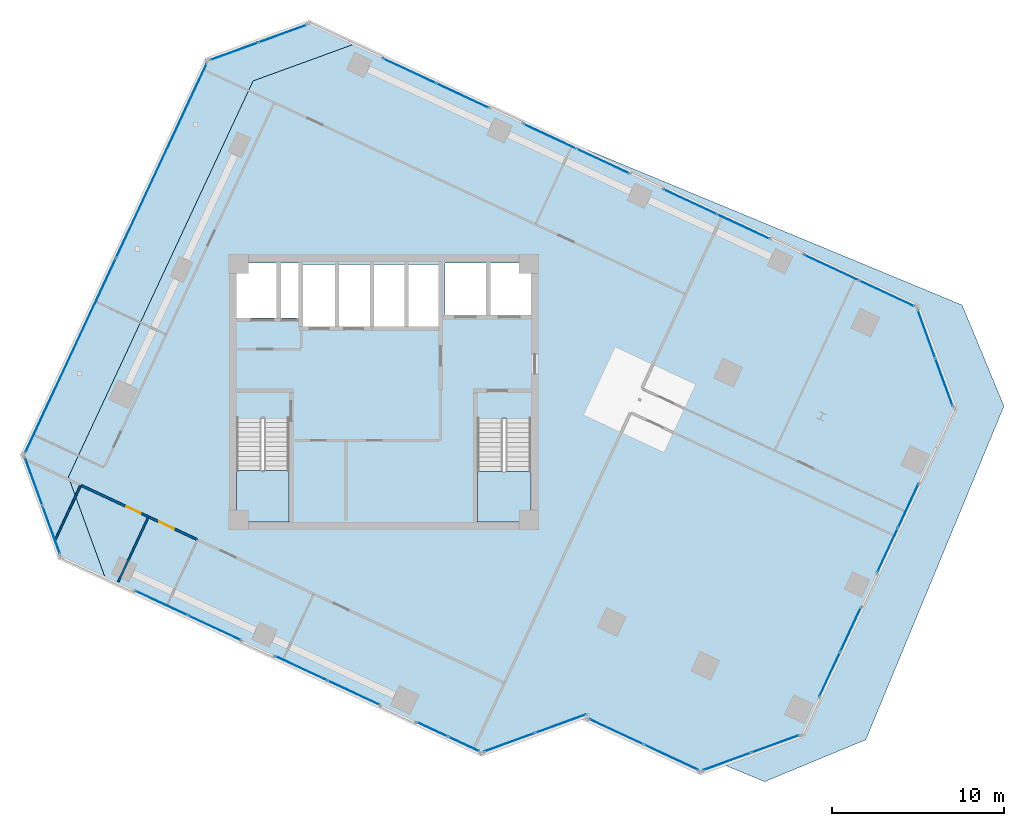
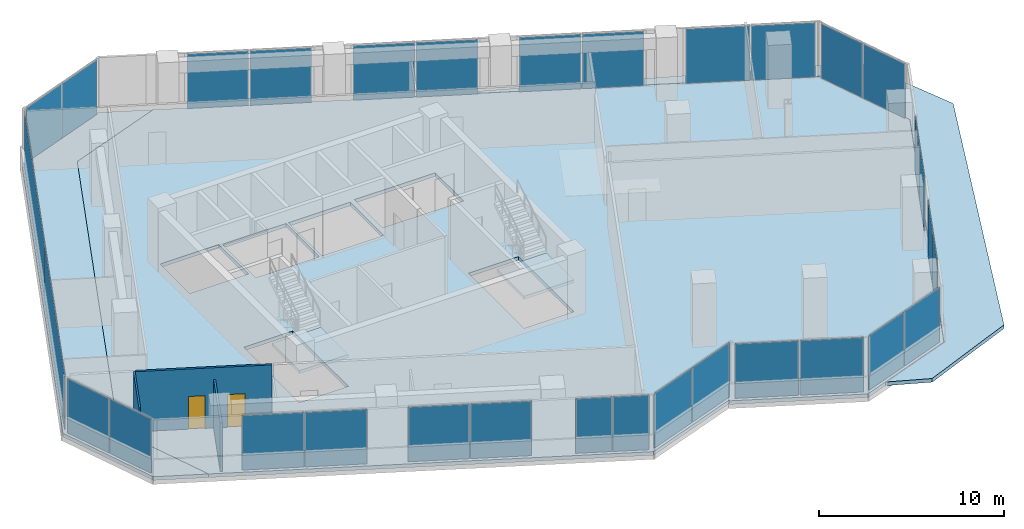
# One storey, part 16 of 23: 32 plates, 5 slabs, 3 walls, 2 doors, 2 openings, 18 elements without a shape of their own.
"""IFC4 building model written with IfcOpenShell, lengths in metres."""

from ifc_helpers import new_model, si_unit, direction, frame, frame_2d, origin, origin_2d, place, context, subcontext, project, spatial, polyline, rectangle, outline, extrude, source, transform, mapped, material, layer, layer_set, type_object, element, fill, aggregate, save


model = new_model("IFC4")

# Units and contexts
model_context = context("Model", 3, precision=1e-05, world=origin(), true_north=direction((0.0, 1.0)))
body_context = subcontext(model_context, "Body", "Model", "MODEL_VIEW")
ifc_project = project(units=[si_unit("LENGTHUNIT", "METRE"), si_unit("AREAUNIT", "SQUARE_METRE"), si_unit("VOLUMEUNIT", "CUBIC_METRE"), si_unit("PLANEANGLEUNIT", "RADIAN"), si_unit("MASSUNIT", "GRAM", prefix="KILO")], contexts=[model_context])

# Site, building, storey
site_placement = place(None, origin())
site = spatial("IfcSite", under=ifc_project, at=site_placement, CompositionType="ELEMENT")
building_placement = place(site_placement, origin())
building = spatial("IfcBuilding", under=site, at=building_placement, Name="Torre Montelarca", CompositionType="ELEMENT")
storey_placement = place(building_placement, frame((0.0, 0.0, 154.0)))
storey = spatial("IfcBuildingStorey", under=building, at=storey_placement, Name="L34", CompositionType="ELEMENT", Elevation=154.0)

# Slabs
ifc_material_1 = material(Name="Concrete C40/50", Category="concrete")
ifc_layer_1 = layer(ifc_material_1, 0.239990234375, Name="Concrete C40/50", Category="concrete")
ifc_layer_set_1 = layer_set([ifc_layer_1], Name="Concrete C40/50")
slab_type_1 = type_object("IfcSlabType", Name="SL-FLR-240", PredefinedType="FLOOR", material=ifc_layer_set_1)
slab_1_placement = place(storey_placement, frame((0.0, 0.0, -0.239990234375)))
element("IfcSlab", 1, at=slab_1_placement, inside=storey, type_object=slab_type_1, Name="L34 Structural Floor Slab", PredefinedType="FLOOR", context=body_context, shape_type="SweptSolid", body=[
    extrude(outline(polyline([(23.68701171875, 10.898681640625), (29.667236328125, 13.0751953125), (29.625, 12.984619140625), (36.42236328125, 9.81494140625), (42.402587890625, 11.99169921875), (51.277587890625, 31.024169921875), (49.100830078125, 37.004150390625), (16.38330078125, 52.2607421875), (10.403076171875, 50.083984375), (-0.33154296875, 27.06396484375), (1.84521484375, 21.083740234375), (23.68701171875, 10.898681640625)]), holes=[polyline([(26.550048828125, 24.449951171875), (23.43994140625, 24.449951171875), (23.43994140625, 30.429931640625), (26.550048828125, 30.429931640625), (26.550048828125, 24.449951171875)]), polyline([(9.449951171875, 24.449951171875), (9.449951171875, 30.4599609375), (12.5, 30.4599609375), (12.5, 24.449951171875), (9.449951171875, 24.449951171875)]), polyline([(17.25, 35.800048828125), (13.300048828125, 35.800048828125), (13.300048828125, 39.39990234375), (17.25, 39.39990234375), (17.25, 35.800048828125)]), polyline([(21.25, 39.39990234375), (21.25, 35.800048828125), (17.39990234375, 35.800048828125), (17.39990234375, 39.39990234375), (21.25, 39.39990234375)]), polyline([(13.1201171875, 36.300048828125), (9.449951171875, 36.300048828125), (9.449951171875, 39.5), (13.1201171875, 39.5), (13.1201171875, 36.300048828125)]), polyline([(26.60009765625, 36.449951171875), (21.550048828125, 36.449951171875), (21.550048828125, 39.5), (26.60009765625, 39.5), (26.60009765625, 36.449951171875)])]), origin(), (0.0, 0.0, 1.0), 0.239990234375),
])
slab_2_placement = place(storey_placement, frame((0.0, 0.0, -0.239990234375)))
element("IfcSlab", 2, at=slab_2_placement, inside=storey, type_object=slab_type_1, Name="L34 Sliding Tray Winter Garden Floor Slab W1", PredefinedType="FLOOR", context=body_context, shape_type="SweptSolid", body=[
    extrude(outline(polyline([(1.84521484375, 21.083740234375), (-0.33154296875, 27.06396484375), (10.403076171875, 50.083984375), (16.38330078125, 52.2607421875), (13.664306640625, 53.528564453125), (7.68408203125, 51.35205078125), (-3.05029296875, 28.331787109375), (-0.873779296875, 22.3515625), (1.84521484375, 21.083740234375)])), origin(), (0.0, 0.0, 1.0), 0.239990234375),
])
ifc_material_2 = material(Name="Architectural concrete C40/50", Category="concrete")
ifc_layer_2 = layer(ifc_material_2, 0.239990234375, Name="Architectural concrete C40/50", Category="concrete")
ifc_layer_set_2 = layer_set([ifc_layer_2], Name="Architectural concrete C40/50")
slab_type_2 = type_object("IfcSlabType", Name="SL-ROOF-EXT-240", PredefinedType="ROOF", material=ifc_layer_set_2)
slab_3_placement = place(storey_placement, frame((0.0, 0.0, -0.239990234375)))
element("IfcSlab", 3, at=slab_3_placement, inside=storey, type_object=slab_type_2, Name="L33 Setback and Tray Overhang Roof Cap Slab 01", PredefinedType="ROOF", context=body_context, shape_type="SweptSolid", body=[
    extrude(outline(polyline([(49.107421875, 37.010009765625), (51.2861328125, 31.023681640625), (42.408447265625, 11.985107421875), (37.804443359375, 10.3095703125), (40.1474609375, 9.339111328125), (46.027099609375, 11.7744140625), (54.063232421875, 31.17578125), (51.6279296875, 37.055419921875), (28.19482421875, 46.76171875), (49.107421875, 37.010009765625)])), origin(), (0.0, 0.0, 1.0), 0.239990234375),
])

# Stair, slab
stair_type_1 = type_object("IfcStairType", Name="ST-CORE-ST1", PredefinedType="HALF_TURN_STAIR", material=ifc_material_1)
stair_1_placement = place(storey_placement, origin())
stair_1 = element("IfcStair", 4, at=stair_1_placement, inside=storey, type_object=stair_type_1, Name="L34 Protected Exit Stair ST1", PredefinedType="HALF_TURN_STAIR")
ifc_layer_3 = layer(ifc_material_1, 0.199951171875, Name="Concrete C40/50", Category="concrete")
ifc_layer_set_3 = layer_set([ifc_layer_3], Name="Concrete C40/50")
slab_type_3 = type_object("IfcSlabType", Name="SL-ST-LAND-ST1", PredefinedType="LANDING", material=ifc_layer_set_3)
slab_4_placement = place(storey_placement, frame((0.0, 0.0, 1.89990234375)))
slab_4 = element("IfcSlab", 5, at=slab_4_placement, type_object=slab_type_3, Name="ST1 landing 1", PredefinedType="LANDING", context=body_context, shape_type="SweptSolid", body=[
    extrude(outline(polyline([(9.449951171875, 27.419921875), (9.449951171875, 24.449951171875), (12.5, 24.449951171875), (12.5, 27.419921875), (9.449951171875, 27.419921875)])), origin(), (0.0, 0.0, 1.0), 0.2001953125),
])
aggregate(stair_1, [slab_4])

stair_type_2 = type_object("IfcStairType", Name="ST-CORE-ST2", PredefinedType="HALF_TURN_STAIR", material=ifc_material_1)
stair_2_placement = place(storey_placement, origin())
stair_2 = element("IfcStair", 6, at=stair_2_placement, inside=storey, type_object=stair_type_2, Name="L34 Protected Exit Stair ST2", PredefinedType="HALF_TURN_STAIR")
ifc_layer_4 = layer(ifc_material_1, 0.199951171875, Name="Concrete C40/50", Category="concrete")
ifc_layer_set_4 = layer_set([ifc_layer_4], Name="Concrete C40/50")
slab_type_4 = type_object("IfcSlabType", Name="SL-ST-LAND-ST2", PredefinedType="LANDING", material=ifc_layer_set_4)
slab_5_placement = place(storey_placement, frame((0.0, 0.0, 1.89990234375)))
slab_5 = element("IfcSlab", 7, at=slab_5_placement, type_object=slab_type_4, Name="ST2 landing 1", PredefinedType="LANDING", context=body_context, shape_type="SweptSolid", body=[
    extrude(outline(polyline([(23.43994140625, 27.389892578125), (23.43994140625, 24.449951171875), (26.550048828125, 24.449951171875), (26.550048828125, 27.389892578125), (23.43994140625, 27.389892578125)])), origin(), (0.0, 0.0, 1.0), 0.2001953125),
])
aggregate(stair_2, [slab_5])

# Curtain wall, plates
ifc_material_3 = material(Name="Insulated low-E laminated glass", Category="glass")
curtain_wall_type = type_object("IfcCurtainWallType", Name="CW-SYS-Z2", PredefinedType="USERDEFINED", material=ifc_material_3)
curtain_wall_1_placement = place(storey_placement, origin())
curtain_wall_1 = element("IfcCurtainWall", 8, at=curtain_wall_1_placement, inside=storey, type_object=curtain_wall_type, Name="L34 Curtain Wall Run CW-T3-L34-E01-B3", ObjectType="UNITISED GLAZING", PredefinedType="USERDEFINED")
ifc_layer_5 = layer(ifc_material_3, 0.031982421875, Name="Insulated low-E laminated glass", Category="glass")
ifc_layer_set_5 = layer_set([ifc_layer_5], Name="Insulated low-E laminated glass")
plate_type = type_object("IfcPlateType", Name="CWP-GLZ-32", PredefinedType="CURTAIN_PANEL", material=ifc_layer_set_5)
shared_shape_1 = source(origin(), body_context, "Body", "SweptSolid", [
    extrude(rectangle(XDim=1.95458984375, YDim=0.031982421875, at=origin_2d()), origin(), (0.0, 0.0, 1.0), 3.590087890625),
])
plate_1_placement = place(storey_placement, frame((20.81689453125, 12.380615234375, 0.06494140625), z_axis=(0.0, 0.0, 1.0), x_axis=(0.906310711432, -0.422611990299, 0.0)))
plate_1 = element("IfcPlate", 9, at=plate_1_placement, type_object=plate_type, Name="CW panel 1.1", PredefinedType="CURTAIN_PANEL", context=body_context, shape_type="MappedRepresentation", body=[
    mapped(shared_shape_1, transform((0.0, 0.0, 0.0), scale=1.0)),
])
plate_2_placement = place(storey_placement, frame((22.647216796875, 11.527099609375, 0.06494140625), z_axis=(0.0, 0.0, 1.0), x_axis=(0.906310711432, -0.422611990299, 0.0)))
plate_2 = element("IfcPlate", 10, at=plate_2_placement, type_object=plate_type, Name="CW panel 2.1", PredefinedType="CURTAIN_PANEL", context=body_context, shape_type="MappedRepresentation", body=[
    mapped(shared_shape_1, transform((0.0, 0.0, 0.0), scale=1.0)),
])
aggregate(curtain_wall_1, [plate_1, plate_2])

curtain_wall_2_placement = place(storey_placement, origin())
curtain_wall_2 = element("IfcCurtainWall", 11, at=curtain_wall_2_placement, inside=storey, type_object=curtain_wall_type, Name="L34 Curtain Wall Run CW-T3-L34-E04-B1", ObjectType="UNITISED GLAZING", PredefinedType="USERDEFINED")
shared_shape_2 = source(origin(), body_context, "Body", "SweptSolid", [
    extrude(rectangle(XDim=3.448486328125, YDim=0.031982421875, at=origin_2d()), origin(), (0.0, 0.0, 1.0), 3.590087890625),
])
plate_3_placement = place(storey_placement, frame((31.52099609375, 12.243896484375, 0.06494140625), z_axis=(0.0, 0.0, 1.0), x_axis=(0.906315299534, -0.422602150764, 0.0)))
plate_3 = element("IfcPlate", 12, at=plate_3_placement, type_object=plate_type, Name="CW panel 1.1", PredefinedType="CURTAIN_PANEL", context=body_context, shape_type="MappedRepresentation", body=[
    mapped(shared_shape_2, transform((0.0, 0.0, 0.0), scale=1.0)),
])
plate_4_placement = place(storey_placement, frame((34.705322265625, 10.759033203125, 0.06494140625), z_axis=(0.0, 0.0, 1.0), x_axis=(0.906315299534, -0.422602150764, 0.0)))
plate_4 = element("IfcPlate", 13, at=plate_4_placement, type_object=plate_type, Name="CW panel 2.1", PredefinedType="CURTAIN_PANEL", context=body_context, shape_type="MappedRepresentation", body=[
    mapped(shared_shape_2, transform((0.0, 0.0, 0.0), scale=1.0)),
])
aggregate(curtain_wall_2, [plate_3, plate_4])

curtain_wall_3_placement = place(storey_placement, origin())
curtain_wall_3 = element("IfcCurtainWall", 14, at=curtain_wall_3_placement, inside=storey, type_object=curtain_wall_type, Name="L34 Curtain Wall Run CW-T3-L34-E05-B1", ObjectType="UNITISED GLAZING", PredefinedType="USERDEFINED")
shared_shape_3 = source(origin(), body_context, "Body", "SweptSolid", [
    extrude(rectangle(XDim=2.918701171875, YDim=0.031982421875, at=origin_2d()), origin(), (0.0, 0.0, 1.0), 3.590087890625),
])
plate_5_placement = place(storey_placement, frame((37.966064453125, 10.51513671875, 0.06494140625), z_axis=(0.0, 0.0, 1.0), x_axis=(0.939694159282, 0.342015916313, 0.0)))
plate_5 = element("IfcPlate", 15, at=plate_5_placement, type_object=plate_type, Name="CW panel 1.1", PredefinedType="CURTAIN_PANEL", context=body_context, shape_type="MappedRepresentation", body=[
    mapped(shared_shape_3, transform((0.0, 0.0, 0.0), scale=1.0)),
])
plate_6_placement = place(storey_placement, frame((40.769775390625, 11.53564453125, 0.06494140625), z_axis=(0.0, 0.0, 1.0), x_axis=(0.939694159282, 0.342015916313, 0.0)))
plate_6 = element("IfcPlate", 16, at=plate_6_placement, type_object=plate_type, Name="CW panel 2.1", PredefinedType="CURTAIN_PANEL", context=body_context, shape_type="MappedRepresentation", body=[
    mapped(shared_shape_3, transform((0.0, 0.0, 0.0), scale=1.0)),
])
aggregate(curtain_wall_3, [plate_5, plate_6])

curtain_wall_4_placement = place(storey_placement, origin())
curtain_wall_4 = element("IfcCurtainWall", 17, at=curtain_wall_4_placement, inside=storey, type_object=curtain_wall_type, Name="L34 Curtain Wall Run CW-T3-L34-E11-B1", ObjectType="UNITISED GLAZING", PredefinedType="USERDEFINED")
plate_7_placement = place(storey_placement, frame((-2.35009765625, 26.7880859375, 0.06494140625), z_axis=(0.0, 0.0, 1.0), x_axis=(0.342015916313, -0.939694159282, 0.0)))
plate_7 = element("IfcPlate", 18, at=plate_7_placement, type_object=plate_type, Name="CW panel 1.1", PredefinedType="CURTAIN_PANEL", context=body_context, shape_type="MappedRepresentation", body=[
    mapped(shared_shape_3, transform((0.0, 0.0, 0.0), scale=1.0)),
])
plate_8_placement = place(storey_placement, frame((-1.329833984375, 23.984375, 0.06494140625), z_axis=(0.0, 0.0, 1.0), x_axis=(0.342015916313, -0.939694159282, 0.0)))
plate_8 = element("IfcPlate", 19, at=plate_8_placement, type_object=plate_type, Name="CW panel 2.1", PredefinedType="CURTAIN_PANEL", context=body_context, shape_type="MappedRepresentation", body=[
    mapped(shared_shape_3, transform((0.0, 0.0, 0.0), scale=1.0)),
])
aggregate(curtain_wall_4, [plate_7, plate_8])

curtain_wall_5_placement = place(storey_placement, origin())
curtain_wall_5 = element("IfcCurtainWall", 20, at=curtain_wall_5_placement, inside=storey, type_object=curtain_wall_type, Name="L34 Curtain Wall Run CW-T3-L34-E08-B1", ObjectType="UNITISED GLAZING", PredefinedType="USERDEFINED")
shared_shape_4 = source(origin(), body_context, "Body", "SweptSolid", [
    extrude(rectangle(XDim=3.4921875, YDim=0.031982421875, at=origin_2d()), origin(), (0.0, 0.0, 1.0), 3.590087890625),
])
plate_9_placement = place(storey_placement, frame((47.25439453125, 37.721923828125, 0.06494140625), z_axis=(0.0, 0.0, 1.0), x_axis=(-0.906311916868, 0.422609405176, 0.0)))
plate_9 = element("IfcPlate", 21, at=plate_9_placement, type_object=plate_type, Name="CW panel 1.1", PredefinedType="CURTAIN_PANEL", context=body_context, shape_type="MappedRepresentation", body=[
    mapped(shared_shape_4, transform((0.0, 0.0, 0.0), scale=1.0)),
])
plate_10_placement = place(storey_placement, frame((44.030517578125, 39.22509765625, 0.06494140625), z_axis=(0.0, 0.0, 1.0), x_axis=(-0.906311916868, 0.422609405176, 0.0)))
plate_10 = element("IfcPlate", 22, at=plate_10_placement, type_object=plate_type, Name="CW panel 2.1", PredefinedType="CURTAIN_PANEL", context=body_context, shape_type="MappedRepresentation", body=[
    mapped(shared_shape_4, transform((0.0, 0.0, 0.0), scale=1.0)),
])
aggregate(curtain_wall_5, [plate_9, plate_10])

curtain_wall_6_placement = place(storey_placement, origin())
curtain_wall_6 = element("IfcCurtainWall", 23, at=curtain_wall_6_placement, inside=storey, type_object=curtain_wall_type, Name="L34 Curtain Wall Run CW-T3-L34-E10-B1", ObjectType="UNITISED GLAZING", PredefinedType="USERDEFINED")
shared_shape_5 = source(origin(), body_context, "Body", "SweptSolid", [
    extrude(rectangle(XDim=12.4365234375, YDim=0.031982421875, at=origin_2d()), origin(), (0.0, 0.0, 1.0), 3.590087890625),
])
plate_11_placement = place(storey_placement, frame((5.076416015625, 45.4521484375, 0.06494140625), z_axis=(0.0, 0.0, 1.0), x_axis=(-0.422614216079, -0.906309673549, 0.0)))
plate_11 = element("IfcPlate", 24, at=plate_11_placement, type_object=plate_type, Name="CW panel 1.1", PredefinedType="CURTAIN_PANEL", context=body_context, shape_type="MappedRepresentation", body=[
    mapped(shared_shape_5, transform((0.0, 0.0, 0.0), scale=1.0)),
])
plate_12_placement = place(storey_placement, frame((-0.20703125, 34.121826171875, 0.06494140625), z_axis=(0.0, 0.0, 1.0), x_axis=(-0.422614216079, -0.906309673549, 0.0)))
plate_12 = element("IfcPlate", 25, at=plate_12_placement, type_object=plate_type, Name="CW panel 2.1", PredefinedType="CURTAIN_PANEL", context=body_context, shape_type="MappedRepresentation", body=[
    mapped(shared_shape_5, transform((0.0, 0.0, 0.0), scale=1.0)),
])
aggregate(curtain_wall_6, [plate_11, plate_12])

curtain_wall_7_placement = place(storey_placement, origin())
curtain_wall_7 = element("IfcCurtainWall", 26, at=curtain_wall_7_placement, inside=storey, type_object=curtain_wall_type, Name="L34 Curtain Wall Run CW-T3-L34-E01-B1", ObjectType="UNITISED GLAZING", PredefinedType="USERDEFINED")
shared_shape_6 = source(origin(), body_context, "Body", "SweptSolid", [
    extrude(rectangle(XDim=3.347412109375, YDim=0.031982421875, at=origin_2d()), origin(), (0.0, 0.0, 1.0), 3.590087890625),
])
plate_13_placement = place(storey_placement, frame((5.06640625, 19.72509765625, 0.06494140625), z_axis=(0.0, 0.0, 1.0), x_axis=(0.906311020809, -0.422611326824, 0.0)))
plate_13 = element("IfcPlate", 27, at=plate_13_placement, type_object=plate_type, Name="CW panel 1.1", PredefinedType="CURTAIN_PANEL", context=body_context, shape_type="MappedRepresentation", body=[
    mapped(shared_shape_6, transform((0.0, 0.0, 0.0), scale=1.0)),
])
plate_14_placement = place(storey_placement, frame((8.1591796875, 18.282958984375, 0.06494140625), z_axis=(0.0, 0.0, 1.0), x_axis=(0.906311020809, -0.422611326824, 0.0)))
plate_14 = element("IfcPlate", 28, at=plate_14_placement, type_object=plate_type, Name="CW panel 2.1", PredefinedType="CURTAIN_PANEL", context=body_context, shape_type="MappedRepresentation", body=[
    mapped(shared_shape_6, transform((0.0, 0.0, 0.0), scale=1.0)),
])
aggregate(curtain_wall_7, [plate_13, plate_14])

curtain_wall_8_placement = place(storey_placement, origin())
curtain_wall_8 = element("IfcCurtainWall", 29, at=curtain_wall_8_placement, inside=storey, type_object=curtain_wall_type, Name="L34 Curtain Wall Run CW-T3-L34-E08-B2", ObjectType="UNITISED GLAZING", PredefinedType="USERDEFINED")
plate_15_placement = place(storey_placement, frame((38.90087890625, 41.6171875, 0.06494140625), z_axis=(0.0, 0.0, 1.0), x_axis=(-0.906311020809, 0.422611326824, 0.0)))
plate_15 = element("IfcPlate", 30, at=plate_15_placement, type_object=plate_type, Name="CW panel 1.1", PredefinedType="CURTAIN_PANEL", context=body_context, shape_type="MappedRepresentation", body=[
    mapped(shared_shape_6, transform((0.0, 0.0, 0.0), scale=1.0)),
])
plate_16_placement = place(storey_placement, frame((35.80810546875, 43.059326171875, 0.06494140625), z_axis=(0.0, 0.0, 1.0), x_axis=(-0.906311020809, 0.422611326824, 0.0)))
plate_16 = element("IfcPlate", 31, at=plate_16_placement, type_object=plate_type, Name="CW panel 2.1", PredefinedType="CURTAIN_PANEL", context=body_context, shape_type="MappedRepresentation", body=[
    mapped(shared_shape_6, transform((0.0, 0.0, 0.0), scale=1.0)),
])
aggregate(curtain_wall_8, [plate_15, plate_16])

curtain_wall_9_placement = place(storey_placement, origin())
curtain_wall_9 = element("IfcCurtainWall", 32, at=curtain_wall_9_placement, inside=storey, type_object=curtain_wall_type, Name="L34 Curtain Wall Run CW-T3-L34-E08-B3", ObjectType="UNITISED GLAZING", PredefinedType="USERDEFINED")
plate_17_placement = place(storey_placement, frame((30.744140625, 45.420654296875, 0.06494140625), z_axis=(0.0, 0.0, 1.0), x_axis=(-0.906308428592, 0.422616885917, 0.0)))
plate_17 = element("IfcPlate", 33, at=plate_17_placement, type_object=plate_type, Name="CW panel 1.1", PredefinedType="CURTAIN_PANEL", context=body_context, shape_type="MappedRepresentation", body=[
    mapped(shared_shape_6, transform((0.0, 0.0, 0.0), scale=1.0)),
])
plate_18_placement = place(storey_placement, frame((27.6513671875, 46.86279296875, 0.06494140625), z_axis=(0.0, 0.0, 1.0), x_axis=(-0.906308428592, 0.422616885917, 0.0)))
plate_18 = element("IfcPlate", 34, at=plate_18_placement, type_object=plate_type, Name="CW panel 2.1", PredefinedType="CURTAIN_PANEL", context=body_context, shape_type="MappedRepresentation", body=[
    mapped(shared_shape_6, transform((0.0, 0.0, 0.0), scale=1.0)),
])
aggregate(curtain_wall_9, [plate_17, plate_18])

curtain_wall_10_placement = place(storey_placement, origin())
curtain_wall_10 = element("IfcCurtainWall", 35, at=curtain_wall_10_placement, inside=storey, type_object=curtain_wall_type, Name="L34 Curtain Wall Run CW-T3-L34-E01-B2", ObjectType="UNITISED GLAZING", PredefinedType="USERDEFINED")
shared_shape_7 = source(origin(), body_context, "Body", "SweptSolid", [
    extrude(rectangle(XDim=3.31005859375, YDim=0.031982421875, at=origin_2d()), origin(), (0.0, 0.0, 1.0), 3.590087890625),
])
plate_19_placement = place(storey_placement, frame((13.206298828125, 15.929443359375, 0.06494140625), z_axis=(0.0, 0.0, 1.0), x_axis=(0.906310555039, -0.42261232569, 0.0)))
plate_19 = element("IfcPlate", 36, at=plate_19_placement, type_object=plate_type, Name="CW panel 1.1", PredefinedType="CURTAIN_PANEL", context=body_context, shape_type="MappedRepresentation", body=[
    mapped(shared_shape_7, transform((0.0, 0.0, 0.0), scale=1.0)),
])
plate_20_placement = place(storey_placement, frame((16.26513671875, 14.503173828125, 0.06494140625), z_axis=(0.0, 0.0, 1.0), x_axis=(0.906310555039, -0.42261232569, 0.0)))
plate_20 = element("IfcPlate", 37, at=plate_20_placement, type_object=plate_type, Name="CW panel 2.1", PredefinedType="CURTAIN_PANEL", context=body_context, shape_type="MappedRepresentation", body=[
    mapped(shared_shape_7, transform((0.0, 0.0, 0.0), scale=1.0)),
])
aggregate(curtain_wall_10, [plate_19, plate_20])

curtain_wall_11_placement = place(storey_placement, origin())
curtain_wall_11 = element("IfcCurtainWall", 38, at=curtain_wall_11_placement, inside=storey, type_object=curtain_wall_type, Name="L34 Curtain Wall Run CW-T3-L34-E02-B1", ObjectType="UNITISED GLAZING", PredefinedType="USERDEFINED")
shared_shape_8 = source(origin(), body_context, "Body", "SweptSolid", [
    extrude(rectangle(XDim=3.1025390625, YDim=0.031982421875, at=origin_2d()), origin(), (0.0, 0.0, 1.0), 3.590087890625),
])
plate_21_placement = place(storey_placement, frame((25.3173828125, 11.63037109375, 0.06494140625), z_axis=(0.0, 0.0, 1.0), x_axis=(0.939693473932, 0.342017799316, 0.0)))
plate_21 = element("IfcPlate", 39, at=plate_21_placement, type_object=plate_type, Name="CW panel 1.1", PredefinedType="CURTAIN_PANEL", context=body_context, shape_type="MappedRepresentation", body=[
    mapped(shared_shape_8, transform((0.0, 0.0, 0.0), scale=1.0)),
])
plate_22_placement = place(storey_placement, frame((28.293701171875, 12.713623046875, 0.06494140625), z_axis=(0.0, 0.0, 1.0), x_axis=(0.939693473932, 0.342017799316, 0.0)))
plate_22 = element("IfcPlate", 40, at=plate_22_placement, type_object=plate_type, Name="CW panel 2.1", PredefinedType="CURTAIN_PANEL", context=body_context, shape_type="MappedRepresentation", body=[
    mapped(shared_shape_8, transform((0.0, 0.0, 0.0), scale=1.0)),
])
aggregate(curtain_wall_11, [plate_21, plate_22])

curtain_wall_12_placement = place(storey_placement, origin())
curtain_wall_12 = element("IfcCurtainWall", 41, at=curtain_wall_12_placement, inside=storey, type_object=curtain_wall_type, Name="L34 Curtain Wall Run CW-T3-L34-E07-B1", ObjectType="UNITISED GLAZING", PredefinedType="USERDEFINED")
shared_shape_9 = source(origin(), body_context, "Body", "SweptSolid", [
    extrude(rectangle(XDim=2.91845703125, YDim=0.031982421875, at=origin_2d()), origin(), (0.0, 0.0, 1.0), 3.590087890625),
])
plate_23_placement = place(storey_placement, frame((50.5771484375, 32.56787109375, 0.06494140625), z_axis=(0.0, 0.0, 1.0), x_axis=(-0.342021244323, 0.939692220055, 0.0)))
plate_23 = element("IfcPlate", 42, at=plate_23_placement, type_object=plate_type, Name="CW panel 1.1", PredefinedType="CURTAIN_PANEL", context=body_context, shape_type="MappedRepresentation", body=[
    mapped(shared_shape_9, transform((0.0, 0.0, 0.0), scale=1.0)),
])
plate_24_placement = place(storey_placement, frame((49.556884765625, 35.371337890625, 0.06494140625), z_axis=(0.0, 0.0, 1.0), x_axis=(-0.342021244323, 0.939692220055, 0.0)))
plate_24 = element("IfcPlate", 43, at=plate_24_placement, type_object=plate_type, Name="CW panel 2.1", PredefinedType="CURTAIN_PANEL", context=body_context, shape_type="MappedRepresentation", body=[
    mapped(shared_shape_9, transform((0.0, 0.0, 0.0), scale=1.0)),
])
aggregate(curtain_wall_12, [plate_23, plate_24])

curtain_wall_13_placement = place(storey_placement, origin())
curtain_wall_13 = element("IfcCurtainWall", 44, at=curtain_wall_13_placement, inside=storey, type_object=curtain_wall_type, Name="L34 Curtain Wall Run CW-T3-L34-E09-B1", ObjectType="UNITISED GLAZING", PredefinedType="USERDEFINED")
plate_25_placement = place(storey_placement, frame((12.120361328125, 52.828369140625, 0.06494140625), z_axis=(0.0, 0.0, 1.0), x_axis=(-0.939692220055, -0.342021244323, 0.0)))
plate_25 = element("IfcPlate", 45, at=plate_25_placement, type_object=plate_type, Name="CW panel 1.1", PredefinedType="CURTAIN_PANEL", context=body_context, shape_type="MappedRepresentation", body=[
    mapped(shared_shape_9, transform((0.0, 0.0, 0.0), scale=1.0)),
])
plate_26_placement = place(storey_placement, frame((9.31689453125, 51.807861328125, 0.06494140625), z_axis=(0.0, 0.0, 1.0), x_axis=(-0.939692220055, -0.342021244323, 0.0)))
plate_26 = element("IfcPlate", 46, at=plate_26_placement, type_object=plate_type, Name="CW panel 2.1", PredefinedType="CURTAIN_PANEL", context=body_context, shape_type="MappedRepresentation", body=[
    mapped(shared_shape_9, transform((0.0, 0.0, 0.0), scale=1.0)),
])
aggregate(curtain_wall_13, [plate_25, plate_26])

curtain_wall_14_placement = place(storey_placement, origin())
curtain_wall_14 = element("IfcCurtainWall", 47, at=curtain_wall_14_placement, inside=storey, type_object=curtain_wall_type, Name="L34 Curtain Wall Run CW-T3-L34-E06-B1", ObjectType="UNITISED GLAZING", PredefinedType="USERDEFINED")
shared_shape_10 = source(origin(), body_context, "Body", "SweptSolid", [
    extrude(rectangle(XDim=2.81005859375, YDim=0.031982421875, at=origin_2d()), origin(), (0.0, 0.0, 1.0), 3.590087890625),
])
plate_27_placement = place(storey_placement, frame((43.932861328125, 15.5810546875, 0.06494140625), z_axis=(0.0, 0.0, 1.0), x_axis=(0.422619958337, 0.906306995899, 0.0)))
plate_27 = element("IfcPlate", 48, at=plate_27_placement, type_object=plate_type, Name="CW panel 1.1", PredefinedType="CURTAIN_PANEL", context=body_context, shape_type="MappedRepresentation", body=[
    mapped(shared_shape_10, transform((0.0, 0.0, 0.0), scale=1.0)),
])
plate_28_placement = place(storey_placement, frame((45.14794921875, 18.186767578125, 0.06494140625), z_axis=(0.0, 0.0, 1.0), x_axis=(0.422619958337, 0.906306995899, 0.0)))
plate_28 = element("IfcPlate", 49, at=plate_28_placement, type_object=plate_type, Name="CW panel 2.1", PredefinedType="CURTAIN_PANEL", context=body_context, shape_type="MappedRepresentation", body=[
    mapped(shared_shape_10, transform((0.0, 0.0, 0.0), scale=1.0)),
])
aggregate(curtain_wall_14, [plate_27, plate_28])

curtain_wall_15_placement = place(storey_placement, origin())
curtain_wall_15 = element("IfcCurtainWall", 50, at=curtain_wall_15_placement, inside=storey, type_object=curtain_wall_type, Name="L34 Curtain Wall Run CW-T3-L34-E06-B2", ObjectType="UNITISED GLAZING", PredefinedType="USERDEFINED")
plate_29_placement = place(storey_placement, frame((47.2822265625, 22.763671875, 0.06494140625), z_axis=(0.0, 0.0, 1.0), x_axis=(0.42261337152, 0.906310067368, 0.0)))
plate_29 = element("IfcPlate", 51, at=plate_29_placement, type_object=plate_type, Name="CW panel 1.1", PredefinedType="CURTAIN_PANEL", context=body_context, shape_type="MappedRepresentation", body=[
    mapped(shared_shape_10, transform((0.0, 0.0, 0.0), scale=1.0)),
])
plate_30_placement = place(storey_placement, frame((48.4970703125, 25.369384765625, 0.06494140625), z_axis=(0.0, 0.0, 1.0), x_axis=(0.42261337152, 0.906310067368, 0.0)))
plate_30 = element("IfcPlate", 52, at=plate_30_placement, type_object=plate_type, Name="CW panel 2.1", PredefinedType="CURTAIN_PANEL", context=body_context, shape_type="MappedRepresentation", body=[
    mapped(shared_shape_10, transform((0.0, 0.0, 0.0), scale=1.0)),
])
aggregate(curtain_wall_15, [plate_29, plate_30])

curtain_wall_16_placement = place(storey_placement, origin())
curtain_wall_16 = element("IfcCurtainWall", 53, at=curtain_wall_16_placement, inside=storey, type_object=curtain_wall_type, Name="L34 Curtain Wall Run CW-T3-L34-E08-B4", ObjectType="UNITISED GLAZING", PredefinedType="USERDEFINED")
shared_shape_11 = source(origin(), body_context, "Body", "SweptSolid", [
    extrude(rectangle(XDim=3.34765625, YDim=0.031982421875, at=origin_2d()), origin(), (0.0, 0.0, 1.0), 3.590087890625),
])
plate_31_placement = place(storey_placement, frame((22.58740234375, 49.22412109375, 0.06494140625), z_axis=(0.0, 0.0, 1.0), x_axis=(-0.906313612918, 0.422605767873, 0.0)))
plate_31 = element("IfcPlate", 54, at=plate_31_placement, type_object=plate_type, Name="CW panel 1.1", PredefinedType="CURTAIN_PANEL", context=body_context, shape_type="MappedRepresentation", body=[
    mapped(shared_shape_11, transform((0.0, 0.0, 0.0), scale=1.0)),
])
plate_32_placement = place(storey_placement, frame((19.49462890625, 50.66650390625, 0.06494140625), z_axis=(0.0, 0.0, 1.0), x_axis=(-0.906313612918, 0.422605767873, 0.0)))
plate_32 = element("IfcPlate", 55, at=plate_32_placement, type_object=plate_type, Name="CW panel 2.1", PredefinedType="CURTAIN_PANEL", context=body_context, shape_type="MappedRepresentation", body=[
    mapped(shared_shape_11, transform((0.0, 0.0, 0.0), scale=1.0)),
])
aggregate(curtain_wall_16, [plate_31, plate_32])

# Walls
ifc_material_4 = material(Name="Acoustic laminated glass partition", Category="glass")
ifc_layer_6 = layer(ifc_material_4, 0.10009765625, Name="Acoustic laminated glass partition", Category="glass")
ifc_layer_set_6 = layer_set([ifc_layer_6], Name="Acoustic laminated glass partition")
wall_type_1 = type_object("IfcWallType", Name="PW-GLAZ-100", PredefinedType="PARTITIONING", material=ifc_layer_set_6)
wall_1_placement = place(storey_placement, frame((-1.087646484375, 23.43115234375, 0.0), z_axis=(0.0, 0.0, 1.0), x_axis=(0.422632310917, 0.906301235665, 0.0)))
element("IfcWall", 56, at=wall_1_placement, inside=storey, type_object=wall_type_1, Name="L34 Interior Partition W-L34-WCW", PredefinedType="PARTITIONING", context=body_context, shape_type="SweptSolid", body=[
    extrude(rectangle(XDim=3.431884765625, YDim=0.10009765625, at=frame_2d((1.7158203125, 0.0))), origin(), (0.0, 0.0, 1.0), 3.9599609375),
])
ifc_material_5 = material(Name="Gypsum plasterboard on steel stud", Category="steel")
ifc_layer_7 = layer(ifc_material_5, 0.114990234375, Name="Gypsum plasterboard on steel stud", Category="steel")
ifc_layer_set_7 = layer_set([ifc_layer_7], Name="Gypsum plasterboard on steel stud")
wall_type_2 = type_object("IfcWallType", Name="PW-PART-115", PredefinedType="PARTITIONING", material=ifc_layer_set_7)
wall_2_placement = place(storey_placement, frame((2.5556640625, 20.951171875, 0.0), z_axis=(0.0, 0.0, 1.0), x_axis=(0.422607794095, 0.906312668106, 0.0)))
element("IfcWall", 57, at=wall_2_placement, inside=storey, type_object=wall_type_2, Name="L34 Interior Partition W-L34-WCD", PredefinedType="PARTITIONING", context=body_context, shape_type="SweptSolid", body=[
    extrude(rectangle(XDim=4.139892578125, YDim=0.114990234375, at=frame_2d((2.06982421875, 0.0))), origin(), (0.0, 0.0, 1.0), 3.195068359375),
])

# Wall, openings, doors
ifc_layer_8 = layer(ifc_material_5, 0.135009765625, Name="Gypsum plasterboard on steel stud", Category="steel")
ifc_layer_set_8 = layer_set([ifc_layer_8], Name="Gypsum plasterboard on steel stud")
wall_type_3 = type_object("IfcWallType", Name="PW-PART-135", PredefinedType="PARTITIONING", material=ifc_layer_set_8)
wall_3_placement = place(storey_placement, frame((0.416015625, 26.560791015625, 0.0), z_axis=(0.0, 0.0, 1.0), x_axis=(0.906307511488, -0.422618852656, 0.0)))
wall_3 = element("IfcWall", 58, at=wall_3_placement, inside=storey, type_object=wall_type_3, Name="L34 Interior Partition W-L34-WCN", PredefinedType="PARTITIONING", context=body_context, shape_type="SweptSolid", body=[
    extrude(rectangle(XDim=7.419677734375, YDim=0.135009765625, at=frame_2d((3.7099609375, 0.0))), origin(), (0.0, 0.0, 1.0), 3.9599609375),
])
opening_1_placement = place(wall_3_placement, frame((2.89990234375, 0.0, 0.0)))
opening_1 = element("IfcOpeningElement", 59, at=opening_1_placement, cuts=wall_3, Name="Opening ID-090", PredefinedType="OPENING", context=body_context, shape_type="SweptSolid", body=[
    extrude(rectangle(XDim=0.89990234375, YDim=2.14990234375, at=frame_2d((0.449951171875, 1.074951171875))), frame((0.0, 0.07763671875, 0.0), z_axis=(0.0, -1.0, 0.0), x_axis=(1.0, 0.0, 0.0)), (0.0, 0.0, 1.0), 0.155029296875),
])
opening_2_placement = place(wall_3_placement, frame((5.0, 0.0, 0.0)))
opening_2 = element("IfcOpeningElement", 60, at=opening_2_placement, cuts=wall_3, Name="Opening ID-095", PredefinedType="OPENING", context=body_context, shape_type="SweptSolid", body=[
    extrude(rectangle(XDim=0.949951171875, YDim=2.14990234375, at=frame_2d((0.47509765625, 1.074951171875))), frame((0.0, 0.07763671875, 0.0), z_axis=(0.0, -1.0, 0.0), x_axis=(1.0, 0.0, 0.0)), (0.0, 0.0, 1.0), 0.155029296875),
])
ifc_material_6 = material(Name="Hardwood acoustic timber veneer", Category="wood")
door_type_1 = type_object("IfcDoorType", Name="DR-INT-090", OperationType="NOTDEFINED", PredefinedType="DOOR", material=ifc_material_6)
shared_shape_12 = source(origin(), body_context, "Body", "SweptSolid", [
    extrude(rectangle(XDim=0.89990234375, YDim=2.14990234375, at=frame_2d((0.449951171875, 1.074951171875))), frame((0.0, 0.02490234375, 0.0), z_axis=(0.0, -1.0, 0.0), x_axis=(1.0, 0.0, 0.0)), (0.0, 0.0, 1.0), 0.050048828125),
])
door_1_placement = place(opening_1_placement, origin())
door_1 = element("IfcDoor", 61, at=door_1_placement, inside=storey, type_object=door_type_1, Name="L34 Interior Door 04", OperationType="SINGLE_SWING_LEFT", OverallHeight=2.14990234375, OverallWidth=0.89990234375, PredefinedType="DOOR", context=body_context, shape_type="MappedRepresentation", body=[
    mapped(shared_shape_12, transform((0.0, 0.0, 0.0), scale=1.0)),
])
fill(opening_1, door_1)
door_type_2 = type_object("IfcDoorType", Name="DR-INT-095", OperationType="NOTDEFINED", PredefinedType="DOOR", material=ifc_material_6)
shared_shape_13 = source(origin(), body_context, "Body", "SweptSolid", [
    extrude(rectangle(XDim=0.949951171875, YDim=2.14990234375, at=frame_2d((0.47509765625, 1.074951171875))), frame((0.0, 0.02490234375, 0.0), z_axis=(0.0, -1.0, 0.0), x_axis=(1.0, 0.0, 0.0)), (0.0, 0.0, 1.0), 0.050048828125),
])
door_2_placement = place(opening_2_placement, origin())
door_2 = element("IfcDoor", 62, at=door_2_placement, inside=storey, type_object=door_type_2, Name="L34 Interior Door 05", OperationType="SINGLE_SWING_RIGHT", OverallHeight=2.14990234375, OverallWidth=0.949951171875, PredefinedType="DOOR", context=body_context, shape_type="MappedRepresentation", body=[
    mapped(shared_shape_13, transform((0.0, 0.0, 0.0), scale=1.0)),
])
fill(opening_2, door_2)

save(model, "model.ifc")
